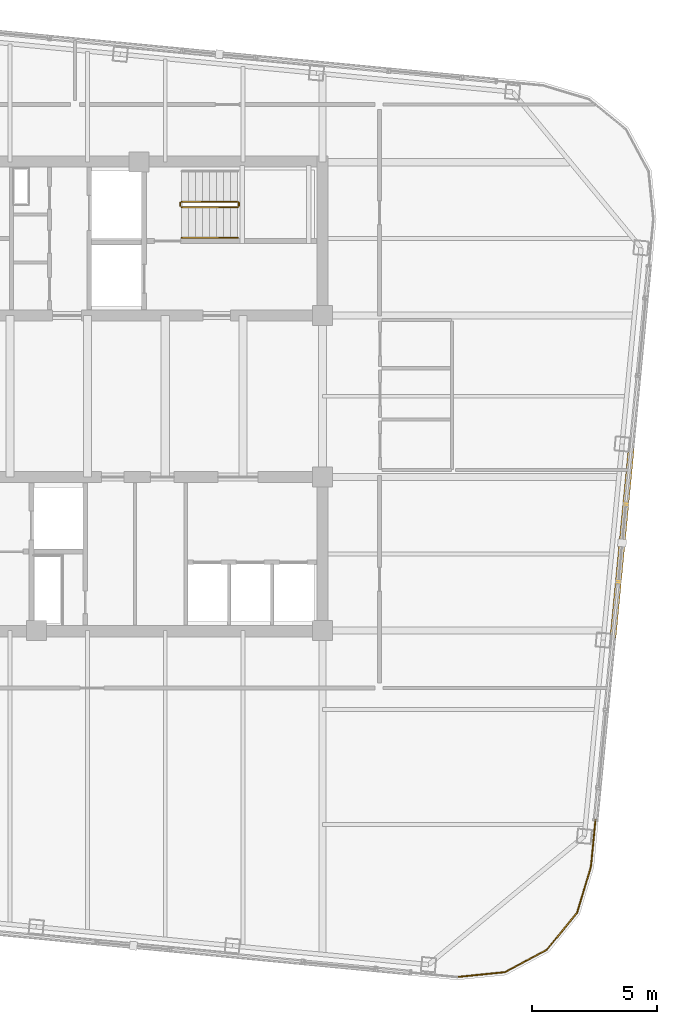
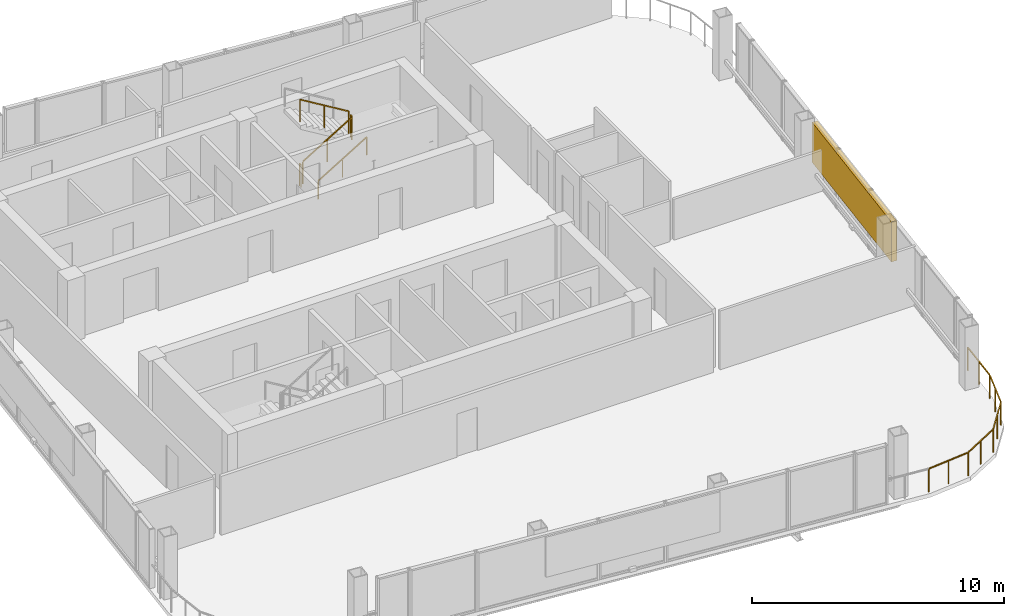
# One storey, part 25 of 26: 6 railings, 1 shading device.
"""IFC4 building model written with IfcOpenShell, lengths in metres."""

from ifc_helpers import new_model, si_unit, direction, frame, origin, origin_2d, place, context, subcontext, project, spatial, rectangle, extrude, material, type_object, element, save


model = new_model("IFC4")

# Units and contexts
model_context = context("Model", 3, precision=1e-05, world=origin(), true_north=direction((0.0, 1.0)))
body_context = subcontext(model_context, "Body", "Model", "MODEL_VIEW")
ifc_project = project(units=[si_unit("LENGTHUNIT", "METRE"), si_unit("AREAUNIT", "SQUARE_METRE"), si_unit("VOLUMEUNIT", "CUBIC_METRE"), si_unit("PLANEANGLEUNIT", "RADIAN"), si_unit("MASSUNIT", "GRAM", prefix="KILO")], contexts=[model_context])

# Site, building, storey
site_placement = place(None, origin())
site = spatial("IfcSite", under=ifc_project, at=site_placement, CompositionType="ELEMENT")
building_placement = place(site_placement, origin())
building = spatial("IfcBuilding", under=site, at=building_placement, Name="Qhalaya Broadcast Tower", CompositionType="ELEMENT")
storey_placement = place(building_placement, frame((0.0, 0.0, 248.949951171875)))
storey = spatial("IfcBuildingStorey", under=building, at=storey_placement, Name="L73", CompositionType="ELEMENT", Elevation=248.949951171875)

# Railings
ifc_material_1 = material(Name="Powder-Coated Galvanised Steel", Category="steel")
railing_type_1 = type_object("IfcRailingType", Name="Stair Wall Handrail 900", PredefinedType="HANDRAIL", material=ifc_material_1)
railing_1_placement = place(storey_placement, frame((3.75, 6.929931640625, 0.16943359375)))
element("IfcRailing", 1, at=railing_1_placement, inside=storey, type_object=railing_type_1, Name="L73 ST-1 Stair Handrail 1", PredefinedType="HANDRAIL", context=body_context, shape_type="SweptSolid", body=[
    extrude(rectangle(XDim=0.048095703125, YDim=0.048095703125, at=origin_2d()), frame((0.0, 0.0, 0.8759765625), z_axis=(0.855512035549, 0.0, 0.517782924622), x_axis=(0.0, 1.0, 0.0)), (0.0, 0.0, 1.0), 2.618408203125),
    extrude(rectangle(XDim=0.0419921875, YDim=0.0419921875, at=origin_2d()), origin(), (0.0, 0.0, 1.0), 0.849853515625),
    extrude(rectangle(XDim=0.0419921875, YDim=0.0419921875, at=origin_2d()), frame((1.1201171875, 0.0, 0.677734375)), (0.0, 0.0, 1.0), 0.849853515625),
    extrude(rectangle(XDim=0.0419921875, YDim=0.0419921875, at=origin_2d()), frame((2.239990234375, 0.0, 1.355712890625)), (0.0, 0.0, 1.0), 0.849853515625),
])
railing_type_2 = type_object("IfcRailingType", Name="Stair Well & Landing Guardrail 1100", PredefinedType="GUARDRAIL", material=ifc_material_1)
railing_2_placement = place(storey_placement, frame((3.75, 8.14990234375, 0.16943359375)))
element("IfcRailing", 2, at=railing_2_placement, inside=storey, type_object=railing_type_2, Name="L73 ST-1 Stair Guard 1", PredefinedType="GUARDRAIL", context=body_context, shape_type="SweptSolid", body=[
    extrude(rectangle(XDim=0.048095703125, YDim=0.048095703125, at=origin_2d()), frame((0.0, 0.0, 1.076171875), z_axis=(0.855512035549, 0.0, 0.517782924622), x_axis=(0.0, 1.0, 0.0)), (0.0, 0.0, 1.0), 2.618408203125),
    extrude(rectangle(XDim=0.0419921875, YDim=0.0419921875, at=origin_2d()), origin(), (0.0, 0.0, 1.0), 1.050048828125),
    extrude(rectangle(XDim=0.0419921875, YDim=0.0419921875, at=origin_2d()), frame((1.1201171875, 0.0, 0.677734375)), (0.0, 0.0, 1.0), 1.050048828125),
    extrude(rectangle(XDim=0.0419921875, YDim=0.0419921875, at=origin_2d()), frame((2.239990234375, 0.0, 1.355712890625)), (0.0, 0.0, 1.0), 1.050048828125),
])
railing_3_placement = place(storey_placement, frame((6.0400390625, 8.199951171875, 1.525146484375)))
element("IfcRailing", 3, at=railing_3_placement, inside=storey, type_object=railing_type_2, Name="L73 ST-1 Stair Guard 2", PredefinedType="GUARDRAIL", context=body_context, shape_type="SweptSolid", body=[
    extrude(rectangle(XDim=0.048095703125, YDim=0.048095703125, at=origin_2d()), frame((0.0, 0.0, 1.076171875), z_axis=(0.0, 1.0, 0.0), x_axis=(-1.0, 0.0, 0.0)), (0.0, 0.0, 1.0), 0.1201171875),
    extrude(rectangle(XDim=0.0419921875, YDim=0.0419921875, at=origin_2d()), origin(), (0.0, 0.0, 1.0), 1.050048828125),
    extrude(rectangle(XDim=0.0419921875, YDim=0.0419921875, at=origin_2d()), frame((0.0, 0.1201171875, 0.0)), (0.0, 0.0, 1.0), 1.050048828125),
])
railing_4_placement = place(storey_placement, frame((5.989990234375, 8.3701171875, 1.694580078125)))
element("IfcRailing", 4, at=railing_4_placement, inside=storey, type_object=railing_type_2, Name="L73 ST-1 Stair Guard 3", PredefinedType="GUARDRAIL", context=body_context, shape_type="SweptSolid", body=[
    extrude(rectangle(XDim=0.048095703125, YDim=0.048095703125, at=origin_2d()), frame((0.0, 0.0, 1.076171875), z_axis=(-0.855553338991, 0.0, 0.51771467445), x_axis=(0.0, -1.0, 0.0)), (0.0, 0.0, 1.0), 2.6181640625),
    extrude(rectangle(XDim=0.0419921875, YDim=0.0419921875, at=origin_2d()), origin(), (0.0, 0.0, 1.0), 1.050048828125),
    extrude(rectangle(XDim=0.0419921875, YDim=0.0419921875, at=origin_2d()), frame((-1.1201171875, 0.0, 0.677734375)), (0.0, 0.0, 1.0), 1.050048828125),
    extrude(rectangle(XDim=0.0419921875, YDim=0.0419921875, at=origin_2d()), frame((-2.239990234375, 0.0, 1.35546875)), (0.0, 0.0, 1.0), 1.050048828125),
])
railing_5_placement = place(storey_placement, frame((3.699951171875, 8.199951171875, 0.0)))
element("IfcRailing", 5, at=railing_5_placement, inside=storey, type_object=railing_type_2, Name="L73 ST-1 Stair Guard 4", PredefinedType="GUARDRAIL", context=body_context, shape_type="SweptSolid", body=[
    extrude(rectangle(XDim=0.048095703125, YDim=0.048095703125, at=origin_2d()), frame((0.0, 0.0, 1.076171875), z_axis=(0.0, 1.0, 0.0), x_axis=(-1.0, 0.0, 0.0)), (0.0, 0.0, 1.0), 0.1201171875),
    extrude(rectangle(XDim=0.0419921875, YDim=0.0419921875, at=origin_2d()), origin(), (0.0, 0.0, 1.0), 1.050048828125),
    extrude(rectangle(XDim=0.0419921875, YDim=0.0419921875, at=origin_2d()), frame((0.0, 0.1201171875, 0.0)), (0.0, 0.0, 1.0), 1.050048828125),
])
railing_type_3 = type_object("IfcRailingType", Name="Terrace, Sky-Pool & Lookout Glass Balustrade 1150", PredefinedType="BALUSTRADE", material=ifc_material_1)
railing_6_placement = place(storey_placement, frame((20.2958984375, -16.07373046875, 0.0)))
element("IfcRailing", 6, at=railing_6_placement, inside=storey, type_object=railing_type_3, Name="L73 Rounded Corner Perimeter Guard 05", PredefinedType="BALUSTRADE", context=body_context, shape_type="SweptSolid", body=[
    extrude(rectangle(XDim=0.048095703125, YDim=0.048095703125, at=origin_2d()), frame((0.0, 0.0, 1.1259765625), z_axis=(-0.095896889673, -0.995391273094, 0.0), x_axis=(0.995391273094, -0.095896889673, 0.0)), (0.0, 0.0, 1.0), 2.08935546875),
    extrude(rectangle(XDim=0.048095703125, YDim=0.048095703125, at=origin_2d()), frame((-0.21142578125, -2.135986328125, 1.1259765625), z_axis=(-0.288096282124, -0.957601447485, 0.0), x_axis=(0.957601447485, -0.288096282124, 0.0)), (0.0, 0.0, 1.0), 1.857421875),
    extrude(rectangle(XDim=0.048095703125, YDim=0.048095703125, at=origin_2d()), frame((-0.773193359375, -3.96484375, 1.1259765625), z_axis=(-0.63274871945, -0.774357190213, 0.0), x_axis=(0.774357190213, -0.63274871945, 0.0)), (0.0, 0.0, 1.0), 1.845703125),
    extrude(rectangle(XDim=0.048095703125, YDim=0.048095703125, at=origin_2d()), frame((-1.984619140625, -5.429931640625, 1.1259765625), z_axis=(-0.880932037714, -0.473242797018, 0.0), x_axis=(0.473242797018, -0.880932037714, 0.0)), (0.0, 0.0, 1.0), 1.845458984375),
    extrude(rectangle(XDim=0.048095703125, YDim=0.048095703125, at=origin_2d()), frame((-3.66455078125, -6.31982421875, 1.1259765625), z_axis=(-0.994967529225, -0.100197883148, 0.0), x_axis=(0.100197883148, -0.994967529225, 0.0)), (0.0, 0.0, 1.0), 1.88623046875),
    extrude(rectangle(XDim=0.0419921875, YDim=0.0419921875, at=origin_2d()), origin(), (0.0, 0.0, 1.0), 1.099853515625),
    extrude(rectangle(XDim=0.0419921875, YDim=0.0419921875, at=origin_2d()), frame((-0.1015625, -1.05419921875, 0.0)), (0.0, 0.0, 1.0), 1.099853515625),
    extrude(rectangle(XDim=0.0419921875, YDim=0.0419921875, at=origin_2d()), frame((-0.203125, -2.1083984375, 0.0)), (0.0, 0.0, 1.0), 1.099853515625),
    extrude(rectangle(XDim=0.0419921875, YDim=0.0419921875, at=origin_2d()), frame((-0.47900390625, -3.025390625, 0.0)), (0.0, 0.0, 1.0), 1.099853515625),
    extrude(rectangle(XDim=0.0419921875, YDim=0.0419921875, at=origin_2d()), frame((-0.7548828125, -3.9423828125, 0.0)), (0.0, 0.0, 1.0), 1.099853515625),
    extrude(rectangle(XDim=0.0419921875, YDim=0.0419921875, at=origin_2d()), frame((-1.35693359375, -4.67919921875, 0.0)), (0.0, 0.0, 1.0), 1.099853515625),
    extrude(rectangle(XDim=0.0419921875, YDim=0.0419921875, at=origin_2d()), frame((-1.959228515625, -5.416259765625, 0.0)), (0.0, 0.0, 1.0), 1.099853515625),
    extrude(rectangle(XDim=0.0419921875, YDim=0.0419921875, at=origin_2d()), frame((-2.79736328125, -5.86669921875, 0.0)), (0.0, 0.0, 1.0), 1.099853515625),
    extrude(rectangle(XDim=0.0419921875, YDim=0.0419921875, at=origin_2d()), frame((-3.6357421875, -6.31689453125, 0.0)), (0.0, 0.0, 1.0), 1.099853515625),
    extrude(rectangle(XDim=0.0419921875, YDim=0.0419921875, at=origin_2d()), frame((-4.58837890625, -6.412841796875, 0.0)), (0.0, 0.0, 1.0), 1.099853515625),
    extrude(rectangle(XDim=0.0419921875, YDim=0.0419921875, at=origin_2d()), frame((-5.541259765625, -6.5087890625, 0.0)), (0.0, 0.0, 1.0), 1.099853515625),
])

# Shading device
ifc_material_2 = material(Name="Fired Architectural Terracotta", Category="masonry")
shading_device_type = type_object("IfcShadingDeviceType", Name="Terracotta Baguette Solar Screen Assembly TBS-01", PredefinedType="USERDEFINED", material=ifc_material_2)
shading_device_placement = place(storey_placement, frame((21.337646484375, -5.25390625, 0.80078125), z_axis=(0.0, 0.0, 1.0), x_axis=(0.09584575252, 0.995396198367, 0.0)))
element("IfcShadingDevice", 7, at=shading_device_placement, inside=storey, type_object=shading_device_type, Name="L73 Fired Terracotta Baguette Screen E", ObjectType="BAGUETTE", PredefinedType="USERDEFINED", context=body_context, shape_type="SweptSolid", body=[
    extrude(rectangle(XDim=7.60009765625, YDim=0.239990234375, at=origin_2d()), origin(), (0.0, 0.0, 1.0), 1.945068359375),
])

save(model, "model.ifc")
